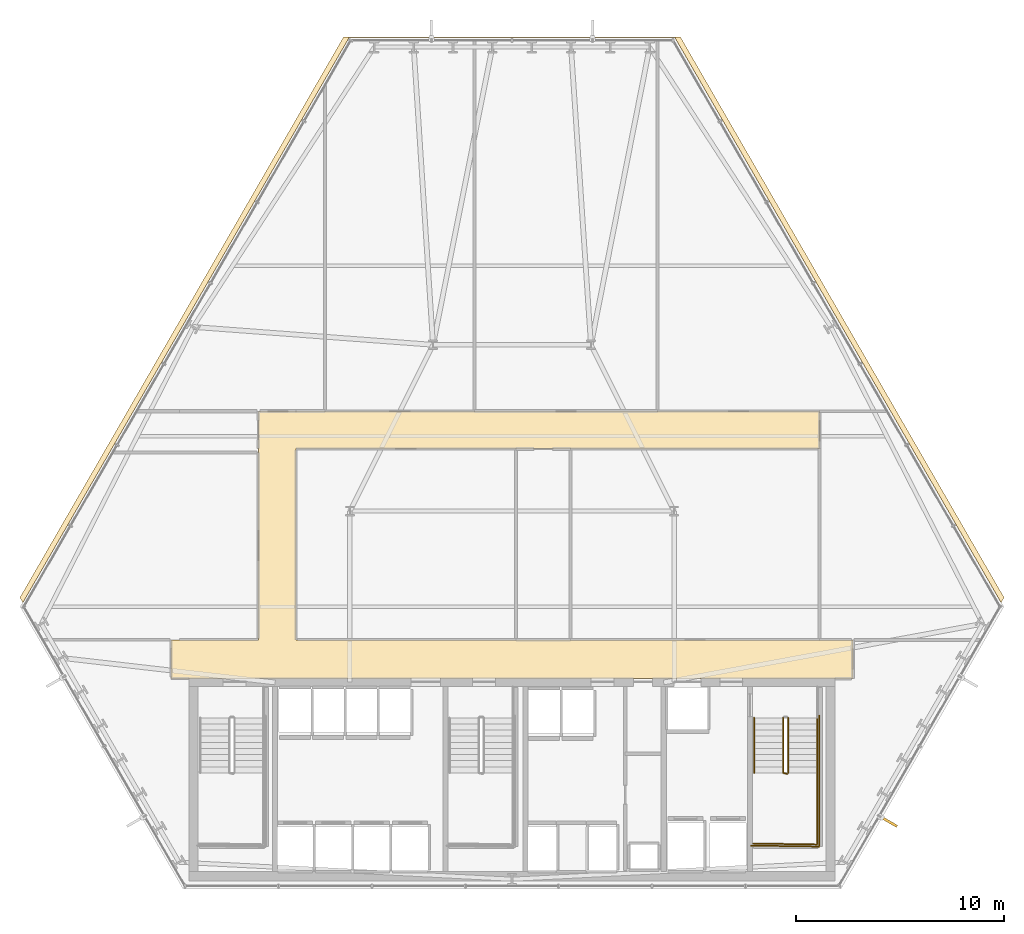
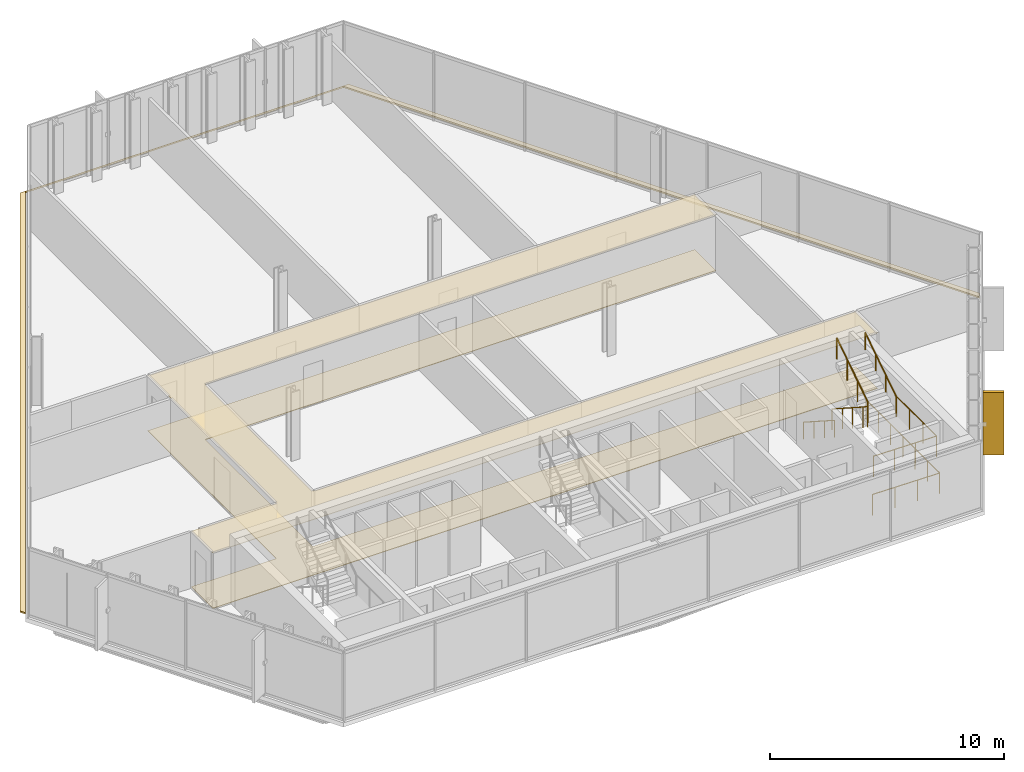
# One storey, part 30 of 32: 6 railings, 3 coverings, 1 shading device.
"""IFC4 building model written with IfcOpenShell, lengths in metres."""

from ifc_helpers import new_model, si_unit, direction, frame, origin, origin_2d, place, context, subcontext, project, spatial, polyline, rectangle, circle, outline, extrude, material, layer, layer_set, type_object, element, save


model = new_model("IFC4")

# Units and contexts
model_context = context("Model", 3, precision=1e-05, world=origin(), true_north=direction((0.0, 1.0)))
body_context = subcontext(model_context, "Body", "Model", "MODEL_VIEW")
ifc_project = project(units=[si_unit("LENGTHUNIT", "METRE"), si_unit("AREAUNIT", "SQUARE_METRE"), si_unit("VOLUMEUNIT", "CUBIC_METRE"), si_unit("PLANEANGLEUNIT", "RADIAN"), si_unit("MASSUNIT", "GRAM", prefix="KILO")], contexts=[model_context])

# Site, building, storey
site_placement = place(None, origin())
site = spatial("IfcSite", under=ifc_project, at=site_placement, CompositionType="ELEMENT")
building_placement = place(site_placement, origin())
building = spatial("IfcBuilding", under=site, at=building_placement, Name="Ndaravel Arena Tower", CompositionType="ELEMENT")
storey_placement = place(building_placement, frame((0.0, 0.0, 58.800048828125)))
storey = spatial("IfcBuildingStorey", under=building, at=storey_placement, Name="L12", CompositionType="ELEMENT", Elevation=58.800048828125)

# Coverings
ifc_material_1 = material(Name="Acoustic Ceiling Tile", Category="finish")
ifc_layer_1 = layer(ifc_material_1, 0.02490234375)
ifc_layer_set_1 = layer_set([ifc_layer_1], Name="Acoustic Ceiling Tile")
covering_type_1 = type_object("IfcCoveringType", Name="COV-CEIL-AC600", PredefinedType="CEILING", material=ifc_layer_set_1)
covering_1_placement = place(storey_placement, frame((0.0, 0.0, 2.90283203125)))
element("IfcCovering", 1, at=covering_1_placement, inside=storey, type_object=covering_type_1, Name="L12 Corridor Acoustic Ceiling", PredefinedType="CEILING", context=body_context, shape_type="SweptSolid", body=[
    extrude(outline(polyline([(58.39990234375, 17.0), (31.60009765625, 17.0), (31.60009765625, 26.199951171875), (56.800048828125, 26.199951171875), (56.800048828125, 28.0), (31.60009765625, 28.0), (29.800048828125, 28.0), (29.800048828125, 26.199951171875), (29.800048828125, 17.0), (25.60009765625, 17.0), (25.60009765625, 15.14990234375), (58.39990234375, 15.14990234375), (58.39990234375, 17.0)])), origin(), (0.0, 0.0, 1.0), 0.02490234375),
])
ifc_material_2 = material(Name="Terrazzo", Category="stone")
ifc_layer_2 = layer(ifc_material_2, 0.030029296875)
ifc_layer_set_2 = layer_set([ifc_layer_2], Name="Terrazzo")
covering_type_2 = type_object("IfcCoveringType", Name="COV-FLOOR-TERRAZZO", PredefinedType="FLOORING", material=ifc_layer_set_2)
covering_2_placement = place(storey_placement, origin())
element("IfcCovering", 2, at=covering_2_placement, inside=storey, type_object=covering_type_2, Name="L12 Corridor Terrazzo Flooring", PredefinedType="FLOORING", context=body_context, shape_type="SweptSolid", body=[
    extrude(outline(polyline([(58.39990234375, 17.0), (31.60009765625, 17.0), (31.60009765625, 26.199951171875), (56.800048828125, 26.199951171875), (56.800048828125, 28.0), (31.60009765625, 28.0), (29.800048828125, 28.0), (29.800048828125, 26.199951171875), (29.800048828125, 17.0), (25.60009765625, 17.0), (25.60009765625, 15.14990234375), (58.39990234375, 15.14990234375), (58.39990234375, 17.0)])), origin(), (0.0, 0.0, 1.0), 0.030029296875),
])
ifc_material_3 = material(Name="Roofing Membrane", Category="finish")
ifc_layer_3 = layer(ifc_material_3, 0.080078125)
ifc_layer_set_3 = layer_set([ifc_layer_3], Name="Roofing Membrane")
covering_type_3 = type_object("IfcCoveringType", Name="COV-ROOF-MEMB", PredefinedType="ROOFING", material=ifc_layer_set_3)
covering_3_placement = place(storey_placement, origin())
element("IfcCovering", 3, at=covering_3_placement, inside=storey, type_object=covering_type_3, Name="L12 Facet Setback Weathering Flashing", PredefinedType="ROOFING", context=body_context, shape_type="SweptSolid", body=[
    extrude(outline(polyline([(18.322021484375, 19.03955078125), (33.894287109375, 46.011474609375), (50.105712890625, 46.011474609375), (65.677978515625, 19.03955078125), (65.536865234375, 18.794921875), (49.8369140625, 45.98779296875), (34.1630859375, 45.98779296875), (18.463134765625, 18.794921875), (18.322021484375, 19.03955078125)])), origin(), (0.0, 0.0, 1.0), 0.079833984375),
])

# Railings
ifc_material_4 = material(Name="Steel S355", Category="steel")
ifc_layer_4 = layer(ifc_material_4, 0.06005859375)
ifc_layer_set_4 = layer_set([ifc_layer_4], Name="Steel S355")
railing_type_1 = type_object("IfcRailingType", Name="RAIL-STAIR-GD1100", PredefinedType="GUARDRAIL", material=ifc_layer_set_4)
railing_1_placement = place(storey_placement, frame((55.050048828125, 13.25, 0.18994140625)))
element("IfcRailing", 4, at=railing_1_placement, inside=storey, type_object=railing_type_1, Name="L12 ST-3 stair guard 1", PredefinedType="GUARDRAIL", context=body_context, shape_type="SweptSolid", body=[
    extrude(circle(Radius=0.02392578125, at=origin_2d()), frame((0.0, 0.0, 1.076171875), z_axis=(0.0, -0.840723540582, 0.54146461409), x_axis=(1.0, 0.0, 0.0)), (0.0, 0.0, 1.0), 3.157958984375),
    extrude(circle(Radius=0.02392578125, at=origin_2d()), frame((0.0, -2.655029296875, 2.7861328125), z_axis=(0.966993988697, -0.254799187253, 0.0), x_axis=(0.254799187253, 0.966993988697, 0.0)), (0.0, 0.0, 1.0), 0.196533203125),
    extrude(circle(Radius=0.02099609375, at=origin_2d()), origin(), (0.0, 0.0, 1.0), 1.052001953125),
    extrude(circle(Radius=0.02099609375, at=origin_2d()), frame((0.0, -0.885009765625, 0.570068359375)), (0.0, 0.0, 1.0), 1.052001953125),
    extrude(circle(Radius=0.02099609375, at=origin_2d()), frame((0.0, -1.77001953125, 1.139892578125)), (0.0, 0.0, 1.0), 1.052001953125),
    extrude(circle(Radius=0.02099609375, at=origin_2d()), frame((0.0, -2.655029296875, 1.7099609375)), (0.0, 0.0, 1.0), 1.052001953125),
    extrude(circle(Radius=0.02099609375, at=origin_2d()), frame((0.18994140625, -2.705078125, 1.7099609375)), (0.0, 0.0, 1.0), 1.052001953125),
])
railing_2_placement = place(storey_placement, frame((56.68994140625, 10.594970703125, 1.89990234375)))
element("IfcRailing", 5, at=railing_2_placement, inside=storey, type_object=railing_type_1, Name="L12 ST-3 stair guard 2", PredefinedType="GUARDRAIL", context=body_context, shape_type="SweptSolid", body=[
    extrude(circle(Radius=0.02392578125, at=origin_2d()), frame((0.0, 0.0, 1.076171875), z_axis=(0.0, -1.0, 0.0), x_axis=(1.0, 0.0, 0.0)), (0.0, 0.0, 1.0), 3.445068359375),
    extrude(circle(Radius=0.02392578125, at=origin_2d()), frame((0.0, -3.445068359375, 1.076171875), z_axis=(-0.999868840623, 0.016195726322, 0.0), x_axis=(-0.016195726322, -0.999868840623, 0.0)), (0.0, 0.0, 1.0), 3.09033203125),
    extrude(circle(Radius=0.02099609375, at=origin_2d()), origin(), (0.0, 0.0, 1.0), 1.052001953125),
    extrude(circle(Radius=0.02099609375, at=origin_2d()), frame((0.0, -1.1484375, 0.0)), (0.0, 0.0, 1.0), 1.052001953125),
    extrude(circle(Radius=0.02099609375, at=origin_2d()), frame((0.0, -2.296630859375, 0.0)), (0.0, 0.0, 1.0), 1.052001953125),
    extrude(circle(Radius=0.02099609375, at=origin_2d()), frame((0.0, -3.445068359375, 0.0)), (0.0, 0.0, 1.0), 1.052001953125),
    extrude(circle(Radius=0.02099609375, at=origin_2d()), frame((-1.030029296875, -3.428466796875, 0.0)), (0.0, 0.0, 1.0), 1.052001953125),
    extrude(circle(Radius=0.02099609375, at=origin_2d()), frame((-2.059814453125, -3.41162109375, 0.0)), (0.0, 0.0, 1.0), 1.052001953125),
    extrude(circle(Radius=0.02099609375, at=origin_2d()), frame((-3.08984375, -3.39501953125, 0.0)), (0.0, 0.0, 1.0), 1.052001953125),
])
railing_3_placement = place(storey_placement, frame((55.2900390625, 10.594970703125, 2.08984375)))
element("IfcRailing", 6, at=railing_3_placement, inside=storey, type_object=railing_type_1, Name="L12 ST-3 stair guard 3", PredefinedType="GUARDRAIL", context=body_context, shape_type="SweptSolid", body=[
    extrude(circle(Radius=0.02392578125, at=origin_2d()), frame((0.0, 0.0, 1.076171875), z_axis=(0.0, 0.840688348013, 0.541519253134), x_axis=(-1.0, 0.0, 0.0)), (0.0, 0.0, 1.0), 3.158203125),
    extrude(circle(Radius=0.02099609375, at=origin_2d()), origin(), (0.0, 0.0, 1.0), 1.052001953125),
    extrude(circle(Radius=0.02099609375, at=origin_2d()), frame((0.0, 0.885009765625, 0.570068359375)), (0.0, 0.0, 1.0), 1.052001953125),
    extrude(circle(Radius=0.02099609375, at=origin_2d()), frame((0.0, 1.77001953125, 1.14013671875)), (0.0, 0.0, 1.0), 1.052001953125),
    extrude(circle(Radius=0.02099609375, at=origin_2d()), frame((0.0, 2.655029296875, 1.710205078125)), (0.0, 0.0, 1.0), 1.052001953125),
])
railing_4_placement = place(storey_placement, frame((56.7900390625, 13.35009765625, 0.0)))
element("IfcRailing", 7, at=railing_4_placement, inside=storey, type_object=railing_type_1, Name="L12 ST-3 stair guard 6", PredefinedType="GUARDRAIL", context=body_context, shape_type="SweptSolid", body=[
    extrude(circle(Radius=0.02392578125, at=origin_2d()), frame((0.0, 0.0, 1.076171875), z_axis=(0.0, -1.0, 0.0), x_axis=(1.0, 0.0, 0.0)), (0.0, 0.0, 1.0), 6.300048828125),
    extrude(circle(Radius=0.02392578125, at=origin_2d()), frame((0.0, -6.300048828125, 1.076171875), z_axis=(-0.99988431412, 0.015210469308, 0.0), x_axis=(-0.015210469308, -0.99988431412, 0.0)), (0.0, 0.0, 1.0), 3.29052734375),
    extrude(circle(Radius=0.02099609375, at=origin_2d()), origin(), (0.0, 0.0, 1.0), 1.052001953125),
    extrude(circle(Radius=0.02099609375, at=origin_2d()), frame((0.0, -1.050048828125, 0.0)), (0.0, 0.0, 1.0), 1.052001953125),
    extrude(circle(Radius=0.02099609375, at=origin_2d()), frame((0.0, -2.10009765625, 0.0)), (0.0, 0.0, 1.0), 1.052001953125),
    extrude(circle(Radius=0.02099609375, at=origin_2d()), frame((0.0, -3.14990234375, 0.0)), (0.0, 0.0, 1.0), 1.052001953125),
    extrude(circle(Radius=0.02099609375, at=origin_2d()), frame((0.0, -4.199951171875, 0.0)), (0.0, 0.0, 1.0), 1.052001953125),
    extrude(circle(Radius=0.02099609375, at=origin_2d()), frame((0.0, -5.25, 0.0)), (0.0, 0.0, 1.0), 1.052001953125),
    extrude(circle(Radius=0.02099609375, at=origin_2d()), frame((0.0, -6.300048828125, 0.0)), (0.0, 0.0, 1.0), 1.052001953125),
    extrude(circle(Radius=0.02099609375, at=origin_2d()), frame((-1.0966796875, -6.283447265625, 0.0)), (0.0, 0.0, 1.0), 1.052001953125),
    extrude(circle(Radius=0.02099609375, at=origin_2d()), frame((-2.193359375, -6.2666015625, 0.0)), (0.0, 0.0, 1.0), 1.052001953125),
    extrude(circle(Radius=0.02099609375, at=origin_2d()), frame((-3.2900390625, -6.25, 0.0)), (0.0, 0.0, 1.0), 1.052001953125),
])
ifc_material_5 = material(Name="Steel S355", Category="steel")
ifc_layer_5 = layer(ifc_material_5, 0.050048828125)
ifc_layer_set_5 = layer_set([ifc_layer_5], Name="Steel S355")
railing_type_2 = type_object("IfcRailingType", Name="RAIL-STAIR-HR920", PredefinedType="HANDRAIL", material=ifc_layer_set_5)
railing_5_placement = place(storey_placement, frame((53.64990234375, 13.25, 0.18994140625)))
element("IfcRailing", 8, at=railing_5_placement, inside=storey, type_object=railing_type_2, Name="L12 ST-3 stair handrail 1", PredefinedType="HANDRAIL", context=body_context, shape_type="SweptSolid", body=[
    extrude(circle(Radius=0.02392578125, at=origin_2d()), frame((0.0, 0.0, 0.8759765625), z_axis=(0.0, -0.840723540582, 0.54146461409), x_axis=(1.0, 0.0, 0.0)), (0.0, 0.0, 1.0), 3.157958984375),
    extrude(circle(Radius=0.02099609375, at=origin_2d()), origin(), (0.0, 0.0, 1.0), 0.851806640625),
    extrude(circle(Radius=0.02099609375, at=origin_2d()), frame((0.0, -0.885009765625, 0.570068359375)), (0.0, 0.0, 1.0), 0.851806640625),
    extrude(circle(Radius=0.02099609375, at=origin_2d()), frame((0.0, -1.77001953125, 1.139892578125)), (0.0, 0.0, 1.0), 0.851806640625),
    extrude(circle(Radius=0.02099609375, at=origin_2d()), frame((0.0, -2.655029296875, 1.7099609375)), (0.0, 0.0, 1.0), 0.851806640625),
])
railing_6_placement = place(storey_placement, frame((56.68994140625, 10.594970703125, 2.08984375)))
element("IfcRailing", 9, at=railing_6_placement, inside=storey, type_object=railing_type_2, Name="L12 ST-3 stair handrail 2", PredefinedType="HANDRAIL", context=body_context, shape_type="SweptSolid", body=[
    extrude(circle(Radius=0.02392578125, at=origin_2d()), frame((0.0, 0.0, 0.8759765625), z_axis=(0.0, 0.840688348013, 0.541519253134), x_axis=(-1.0, 0.0, 0.0)), (0.0, 0.0, 1.0), 3.158203125),
    extrude(circle(Radius=0.02099609375, at=origin_2d()), origin(), (0.0, 0.0, 1.0), 0.851806640625),
    extrude(circle(Radius=0.02099609375, at=origin_2d()), frame((0.0, 0.885009765625, 0.570068359375)), (0.0, 0.0, 1.0), 0.851806640625),
    extrude(circle(Radius=0.02099609375, at=origin_2d()), frame((0.0, 1.77001953125, 1.14013671875)), (0.0, 0.0, 1.0), 0.851806640625),
    extrude(circle(Radius=0.02099609375, at=origin_2d()), frame((0.0, 2.655029296875, 1.710205078125)), (0.0, 0.0, 1.0), 0.851806640625),
])

# Shading device
ifc_material_6 = material(Name="Masonry", Category="masonry")
shading_device_type = type_object("IfcShadingDeviceType", Name="SHD-MAZERAS-FIN", PredefinedType="SHUTTER", material=ifc_material_6)
shading_device_placement = place(storey_placement, frame((60.136474609375, 8.25146484375, 0.14990234375), z_axis=(0.0, 0.0, 1.0), x_axis=(0.866025403784, -0.5, 0.0)))
element("IfcShadingDevice", 10, at=shading_device_placement, inside=storey, type_object=shading_device_type, Name="L12 Mazeras Stone Solar Fin E2.1", PredefinedType="SHUTTER", context=body_context, shape_type="SweptSolid", body=[
    extrude(rectangle(XDim=0.89990234375, YDim=0.1201171875, at=origin_2d()), origin(), (0.0, 0.0, 1.0), 3.280029296875),
])

save(model, "model.ifc")
